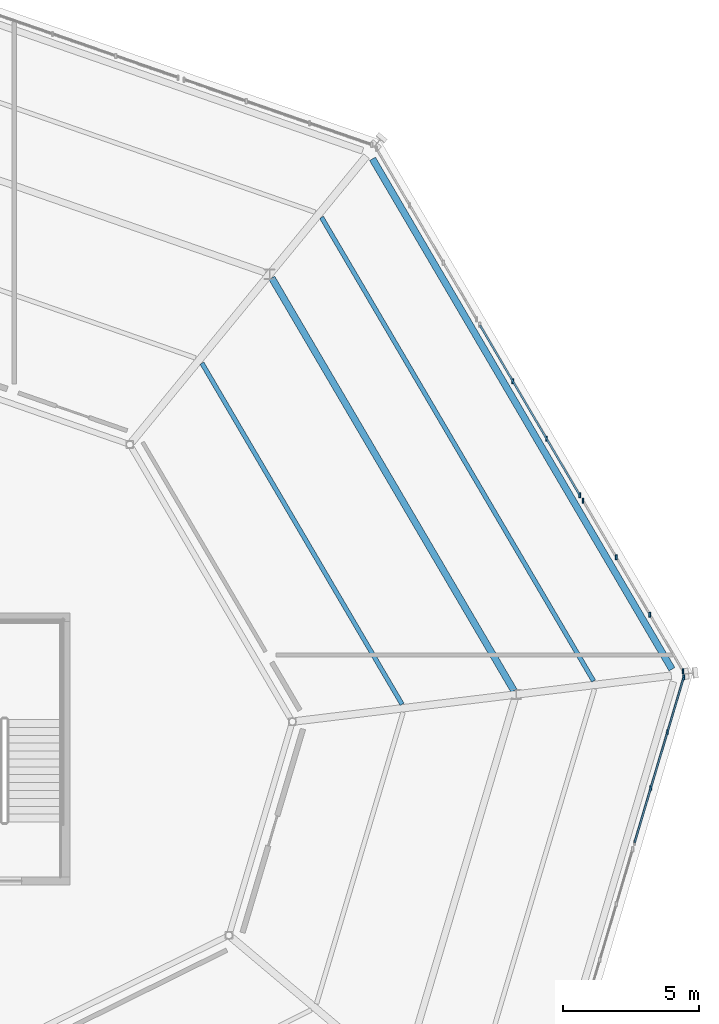
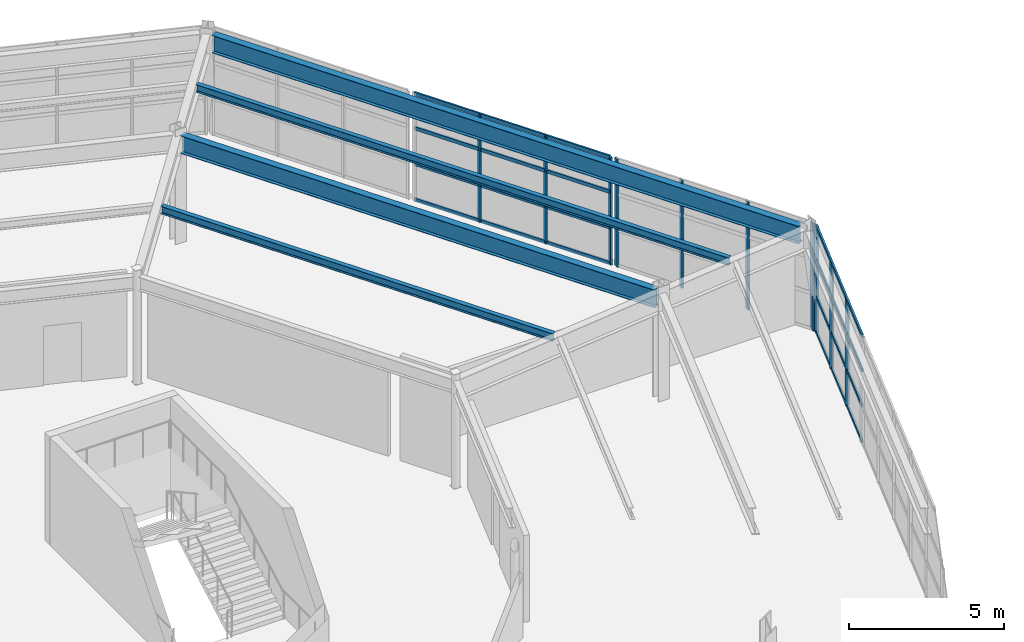
# One storey, part 44 of 77: 18 members, 4 beams, 3 elements without a shape of their own.
"""IFC4 building model written with IfcOpenShell, lengths in metres."""

from ifc_helpers import new_model, si_unit, direction, frame, origin, origin_2d, place, context, subcontext, project, spatial, rectangle, i_section, extrude, material, material_profile, profile_set, type_object, element, aggregate, save


model = new_model("IFC4")

# Units and contexts
model_context = context("Model", 3, precision=1e-05, world=origin(), true_north=direction((0.0, 1.0)))
body_context = subcontext(model_context, "Body", "Model", "MODEL_VIEW")
ifc_project = project(units=[si_unit("LENGTHUNIT", "METRE"), si_unit("AREAUNIT", "SQUARE_METRE"), si_unit("VOLUMEUNIT", "CUBIC_METRE"), si_unit("PLANEANGLEUNIT", "RADIAN"), si_unit("MASSUNIT", "GRAM", prefix="KILO")], contexts=[model_context])

# Site, building, storey
site_placement = place(None, origin())
site = spatial("IfcSite", under=ifc_project, at=site_placement, CompositionType="ELEMENT")
building_placement = place(site_placement, origin())
building = spatial("IfcBuilding", under=site, at=building_placement, Name="Sarnbrook Museum", CompositionType="ELEMENT")
storey_placement = place(building_placement, frame((0.0, 0.0, 5.60009765625)))
storey = spatial("IfcBuildingStorey", under=building, at=storey_placement, Name="L01", CompositionType="ELEMENT", Elevation=5.60009765625)

# Beams
ifc_material_1 = material(Name="Structural Steel Grade 350L0 (AS/NZS 3678, fy = 340 MPa for 20 < t <= 40 mm)", Category="steel")
ifc_material_profile_1 = material_profile(ifc_material_1, i_section(OverallWidth=0.25, OverallDepth=0.699951171875, WebThickness=0.010009765625, FlangeThickness=0.01611328125, at=origin_2d()), Name="700WB130")
ifc_profile_set_1 = profile_set([ifc_material_profile_1], Name="Structural Steel Grade 350L0 (AS/NZS 3678, fy = 340 MPa for 20 < t <= 40 mm)")
beam_type_1 = type_object("IfcBeamType", Name="BM-WB700", PredefinedType="BEAM", material=ifc_profile_set_1)
beam_1_placement = place(storey_placement, frame((168.33251953125, 88.1376953125, 3.889892578125), z_axis=(-0.506063714126, 0.862496096945, 0.0), x_axis=(-0.862496096945, -0.506063714126, 0.0)))
element("IfcBeam", 1, at=beam_1_placement, inside=storey, type_object=beam_type_1, Name="Crystal Hall Perimeter Ring Girder 4 L01", PredefinedType="BEAM", context=body_context, shape_type="SweptSolid", body=[
    extrude(i_section(OverallWidth=0.25, OverallDepth=0.699951171875, WebThickness=0.010009765625, FlangeThickness=0.01611328125, at=origin_2d()), origin(), (0.0, 0.0, 1.0), 21.74951171875),
])
beam_2_placement = place(storey_placement, frame((162.52587890625, 87.348388671875, 3.889892578125), z_axis=(-0.506057154474, 0.862499945743, 0.0), x_axis=(-0.862499945743, -0.506057154474, 0.0)))
element("IfcBeam", 2, at=beam_2_placement, inside=storey, type_object=beam_type_1, Name="Crystal Hall R1 Ring Girder 4 L01", PredefinedType="BEAM", context=body_context, shape_type="SweptSolid", body=[
    extrude(i_section(OverallWidth=0.25, OverallDepth=0.699951171875, WebThickness=0.010009765625, FlangeThickness=0.01611328125, at=origin_2d()), origin(), (0.0, 0.0, 1.0), 17.589111328125),
])

# Curtain wall, members
ifc_material_2 = material(Name="Thermally Broken Anodised Aluminium 6063-T6", Category="aluminium")
curtain_wall_type = type_object("IfcCurtainWallType", Name="CurtainWall_CrystalFacet", PredefinedType="NOTDEFINED", material=ifc_material_2)
curtain_wall_1_placement = place(storey_placement, origin())
curtain_wall_1 = element("IfcCurtainWall", 3, at=curtain_wall_1_placement, inside=storey, type_object=curtain_wall_type, Name="Crystal Hall Facet Curtain Wall L01-F3.3", PredefinedType="NOTDEFINED")
ifc_material_profile_2 = material_profile(ifc_material_2, rectangle(XDim=0.06494140625, YDim=0.179931640625, at=origin_2d()), Name="ALU MULLION 65x180")
ifc_profile_set_2 = profile_set([ifc_material_profile_2], Name="Thermally Broken Anodised Aluminium 6063-T6")
member_type_1 = type_object("IfcMemberType", Name="CW_Mullion_180x75", PredefinedType="MULLION", material=ifc_profile_set_2)
member_1_placement = place(storey_placement, frame((167.55419921875, 83.77392578125, 0.0), z_axis=(0.0, 0.0, 1.0), x_axis=(1.0, 0.0, 0.0)))
member_1 = element("IfcMember", 4, at=member_1_placement, type_object=member_type_1, Name="Crystal Hall Facet Curtain Wall L01-F3.3 Mullion 2", PredefinedType="MULLION", context=body_context, shape_type="SweptSolid", body=[
    extrude(rectangle(XDim=0.06494140625, YDim=0.179931640625, at=origin_2d()), origin(), (0.0, 0.0, 1.0), 4.239990234375),
])
member_2_placement = place(storey_placement, frame((168.164794921875, 85.830322265625, 0.0), z_axis=(0.0, 0.0, 1.0), x_axis=(1.0, 0.0, 0.0)))
member_2 = element("IfcMember", 5, at=member_2_placement, type_object=member_type_1, Name="Crystal Hall Facet Curtain Wall L01-F3.3 Mullion 3", PredefinedType="MULLION", context=body_context, shape_type="SweptSolid", body=[
    extrude(rectangle(XDim=0.06494140625, YDim=0.179931640625, at=origin_2d()), origin(), (0.0, 0.0, 1.0), 4.239990234375),
])
member_3_placement = place(storey_placement, frame((168.763916015625, 87.848388671875, 0.0), z_axis=(0.0, 0.0, 1.0), x_axis=(1.0, 0.0, 0.0)))
member_3 = element("IfcMember", 6, at=member_3_placement, type_object=member_type_1, Name="Crystal Hall Facet Curtain Wall L01-F3.3 Mullion 4", PredefinedType="MULLION", context=body_context, shape_type="SweptSolid", body=[
    extrude(rectangle(XDim=0.06494140625, YDim=0.179931640625, at=origin_2d()), origin(), (0.0, 0.0, 1.0), 4.239990234375),
])

curtain_wall_2_placement = place(storey_placement, origin())
curtain_wall_2 = element("IfcCurtainWall", 7, at=curtain_wall_2_placement, inside=storey, type_object=curtain_wall_type, Name="Crystal Hall Facet Curtain Wall L01-F4.1", PredefinedType="NOTDEFINED")
member_4_placement = place(storey_placement, frame((168.7373046875, 88.06689453125, 0.0), z_axis=(0.0, 0.0, 1.0), x_axis=(1.0, 0.0, 0.0)))
member_4 = element("IfcMember", 8, at=member_4_placement, type_object=member_type_1, Name="Crystal Hall Facet Curtain Wall L01-F4.1 Mullion 1", PredefinedType="MULLION", context=body_context, shape_type="SweptSolid", body=[
    extrude(rectangle(XDim=0.06494140625, YDim=0.179931640625, at=origin_2d()), origin(), (0.0, 0.0, 1.0), 4.239990234375),
])
member_5_placement = place(storey_placement, frame((167.519287109375, 90.142578125, 0.0), z_axis=(0.0, 0.0, 1.0), x_axis=(1.0, 0.0, 0.0)))
member_5 = element("IfcMember", 9, at=member_5_placement, type_object=member_type_1, Name="Crystal Hall Facet Curtain Wall L01-F4.1 Mullion 2", PredefinedType="MULLION", context=body_context, shape_type="SweptSolid", body=[
    extrude(rectangle(XDim=0.06494140625, YDim=0.179931640625, at=origin_2d()), origin(), (0.0, 0.0, 1.0), 4.239990234375),
])
member_6_placement = place(storey_placement, frame((166.281005859375, 92.2529296875, 0.0), z_axis=(0.0, 0.0, 1.0), x_axis=(1.0, 0.0, 0.0)))
member_6 = element("IfcMember", 10, at=member_6_placement, type_object=member_type_1, Name="Crystal Hall Facet Curtain Wall L01-F4.1 Mullion 3", PredefinedType="MULLION", context=body_context, shape_type="SweptSolid", body=[
    extrude(rectangle(XDim=0.06494140625, YDim=0.179931640625, at=origin_2d()), origin(), (0.0, 0.0, 1.0), 4.239990234375),
])
member_7_placement = place(storey_placement, frame((165.063232421875, 94.32861328125, 0.0), z_axis=(0.0, 0.0, 1.0), x_axis=(1.0, 0.0, 0.0)))
member_7 = element("IfcMember", 11, at=member_7_placement, type_object=member_type_1, Name="Crystal Hall Facet Curtain Wall L01-F4.1 Mullion 4", PredefinedType="MULLION", context=body_context, shape_type="SweptSolid", body=[
    extrude(rectangle(XDim=0.06494140625, YDim=0.179931640625, at=origin_2d()), origin(), (0.0, 0.0, 1.0), 4.239990234375),
])
aggregate(curtain_wall_2, [member_4, member_5, member_6, member_7])

curtain_wall_3_placement = place(storey_placement, origin())
curtain_wall_3 = element("IfcCurtainWall", 12, at=curtain_wall_3_placement, inside=storey, type_object=curtain_wall_type, Name="Crystal Hall Facet Curtain Wall L01-F4.2", PredefinedType="NOTDEFINED")
member_8_placement = place(storey_placement, frame((164.941650390625, 94.53564453125, 0.0), z_axis=(0.0, 0.0, 1.0), x_axis=(1.0, 0.0, 0.0)))
member_8 = element("IfcMember", 13, at=member_8_placement, type_object=member_type_1, Name="Crystal Hall Facet Curtain Wall L01-F4.2 Mullion 1", PredefinedType="MULLION", context=body_context, shape_type="SweptSolid", body=[
    extrude(rectangle(XDim=0.06494140625, YDim=0.179931640625, at=origin_2d()), origin(), (0.0, 0.0, 1.0), 4.239990234375),
])
member_9_placement = place(storey_placement, frame((163.7236328125, 96.611572265625, 0.0), z_axis=(0.0, 0.0, 1.0), x_axis=(1.0, 0.0, 0.0)))
member_9 = element("IfcMember", 14, at=member_9_placement, type_object=member_type_1, Name="Crystal Hall Facet Curtain Wall L01-F4.2 Mullion 2", PredefinedType="MULLION", context=body_context, shape_type="SweptSolid", body=[
    extrude(rectangle(XDim=0.06494140625, YDim=0.179931640625, at=origin_2d()), origin(), (0.0, 0.0, 1.0), 4.239990234375),
])
member_10_placement = place(storey_placement, frame((162.485595703125, 98.721923828125, 0.0), z_axis=(0.0, 0.0, 1.0), x_axis=(1.0, 0.0, 0.0)))
member_10 = element("IfcMember", 15, at=member_10_placement, type_object=member_type_1, Name="Crystal Hall Facet Curtain Wall L01-F4.2 Mullion 3", PredefinedType="MULLION", context=body_context, shape_type="SweptSolid", body=[
    extrude(rectangle(XDim=0.06494140625, YDim=0.179931640625, at=origin_2d()), origin(), (0.0, 0.0, 1.0), 4.239990234375),
])

# Member
ifc_material_profile_3 = material_profile(ifc_material_2, rectangle(XDim=0.06494140625, YDim=0.139892578125, at=origin_2d()), Name="ALU TRANSOM 65x140")
ifc_profile_set_3 = profile_set([ifc_material_profile_3], Name="Thermally Broken Anodised Aluminium 6063-T6")
member_type_2 = type_object("IfcMemberType", Name="CW_Transom_150x65", PredefinedType="USERDEFINED", material=ifc_profile_set_3)
member_11_placement = place(storey_placement, frame((166.9580078125, 81.765380859375, 0.039794921875), z_axis=(0.284596074945, 0.958647523403, 0.0), x_axis=(-0.958647523403, 0.284596074945, 0.0)))
member_11 = element("IfcMember", 16, at=member_11_placement, type_object=member_type_2, Name="Crystal Hall Facet Curtain Wall L01-F3.3 Transom 1", ObjectType="TRANSOM", PredefinedType="USERDEFINED", context=body_context, shape_type="SweptSolid", body=[
    extrude(rectangle(XDim=0.06494140625, YDim=0.139892578125, at=origin_2d()), origin(), (0.0, 0.0, 1.0), 6.335205078125),
])

member_12_placement = place(storey_placement, frame((166.9580078125, 81.765380859375, 1.449951171875), z_axis=(0.284596074945, 0.958647523403, 0.0), x_axis=(-0.958647523403, 0.284596074945, 0.0)))
member_12 = element("IfcMember", 17, at=member_12_placement, type_object=member_type_2, Name="Crystal Hall Facet Curtain Wall L01-F3.3 Transom 2", ObjectType="TRANSOM", PredefinedType="USERDEFINED", context=body_context, shape_type="SweptSolid", body=[
    extrude(rectangle(XDim=0.06494140625, YDim=0.139892578125, at=origin_2d()), origin(), (0.0, 0.0, 1.0), 6.335205078125),
])

member_13_placement = place(storey_placement, frame((166.9580078125, 81.765380859375, 2.849853515625), z_axis=(0.284596074945, 0.958647523403, 0.0), x_axis=(-0.958647523403, 0.284596074945, 0.0)))
member_13 = element("IfcMember", 18, at=member_13_placement, type_object=member_type_2, Name="Crystal Hall Facet Curtain Wall L01-F3.3 Transom 3", ObjectType="TRANSOM", PredefinedType="USERDEFINED", context=body_context, shape_type="SweptSolid", body=[
    extrude(rectangle(XDim=0.06494140625, YDim=0.139892578125, at=origin_2d()), origin(), (0.0, 0.0, 1.0), 6.335205078125),
])

member_14_placement = place(storey_placement, frame((166.9580078125, 81.765380859375, 4.199951171875), z_axis=(0.284596074945, 0.958647523403, 0.0), x_axis=(-0.958647523403, 0.284596074945, 0.0)))
member_14 = element("IfcMember", 19, at=member_14_placement, type_object=member_type_2, Name="Crystal Hall Facet Curtain Wall L01-F3.3 Transom 4", ObjectType="TRANSOM", PredefinedType="USERDEFINED", context=body_context, shape_type="SweptSolid", body=[
    extrude(rectangle(XDim=0.06494140625, YDim=0.139892578125, at=origin_2d()), origin(), (0.0, 0.0, 1.0), 6.335205078125),
])

aggregate(curtain_wall_1, [member_1, member_2, member_3, member_11, member_12, member_13, member_14])

member_15_placement = place(storey_placement, frame((164.9365234375, 94.54443359375, 0.039794921875), z_axis=(-0.506045718248, 0.862506655651, 0.0), x_axis=(-0.862506655651, -0.506045718248, 0.0)))
member_15 = element("IfcMember", 20, at=member_15_placement, type_object=member_type_2, Name="Crystal Hall Facet Curtain Wall L01-F4.2 Transom 1", ObjectType="TRANSOM", PredefinedType="USERDEFINED", context=body_context, shape_type="SweptSolid", body=[
    extrude(rectangle(XDim=0.06494140625, YDim=0.139892578125, at=origin_2d()), origin(), (0.0, 0.0, 1.0), 7.239990234375),
])

member_16_placement = place(storey_placement, frame((164.9365234375, 94.54443359375, 1.449951171875), z_axis=(-0.506045718248, 0.862506655651, 0.0), x_axis=(-0.862506655651, -0.506045718248, 0.0)))
member_16 = element("IfcMember", 21, at=member_16_placement, type_object=member_type_2, Name="Crystal Hall Facet Curtain Wall L01-F4.2 Transom 2", ObjectType="TRANSOM", PredefinedType="USERDEFINED", context=body_context, shape_type="SweptSolid", body=[
    extrude(rectangle(XDim=0.06494140625, YDim=0.139892578125, at=origin_2d()), origin(), (0.0, 0.0, 1.0), 7.239990234375),
])

member_17_placement = place(storey_placement, frame((164.9365234375, 94.54443359375, 2.849853515625), z_axis=(-0.506045718248, 0.862506655651, 0.0), x_axis=(-0.862506655651, -0.506045718248, 0.0)))
member_17 = element("IfcMember", 22, at=member_17_placement, type_object=member_type_2, Name="Crystal Hall Facet Curtain Wall L01-F4.2 Transom 3", ObjectType="TRANSOM", PredefinedType="USERDEFINED", context=body_context, shape_type="SweptSolid", body=[
    extrude(rectangle(XDim=0.06494140625, YDim=0.139892578125, at=origin_2d()), origin(), (0.0, 0.0, 1.0), 7.239990234375),
])

member_18_placement = place(storey_placement, frame((164.9365234375, 94.54443359375, 4.199951171875), z_axis=(-0.506045718248, 0.862506655651, 0.0), x_axis=(-0.862506655651, -0.506045718248, 0.0)))
member_18 = element("IfcMember", 23, at=member_18_placement, type_object=member_type_2, Name="Crystal Hall Facet Curtain Wall L01-F4.2 Transom 4", ObjectType="TRANSOM", PredefinedType="USERDEFINED", context=body_context, shape_type="SweptSolid", body=[
    extrude(rectangle(XDim=0.06494140625, YDim=0.139892578125, at=origin_2d()), origin(), (0.0, 0.0, 1.0), 7.239990234375),
])

aggregate(curtain_wall_3, [member_8, member_9, member_10, member_15, member_16, member_17, member_18])

# Beams
ifc_material_3 = material(Name="Structural Steel Grade 300PLUS (AS/NZS 3679.1, fy = 280 MPa for 17 < t <= 40 mm, 300 MPa for t <= 17 mm)", Category="steel")
ifc_material_profile_4 = material_profile(ifc_material_3, i_section(OverallWidth=0.1650390625, OverallDepth=0.303955078125, WebThickness=0.006103515625, FlangeThickness=0.01025390625, FilletRadius=0.011474609375, at=origin_2d()), Name="310UB40.4")
ifc_profile_set_4 = profile_set([ifc_material_profile_4], Name="Structural Steel Grade 300PLUS (AS/NZS 3679.1, fy = 280 MPa for 17 < t <= 40 mm, 300 MPa for t <= 17 mm)")
beam_type_2 = type_object("IfcBeamType", Name="JS-UB310", PredefinedType="JOIST", material=ifc_profile_set_4)
beam_3_placement = place(storey_placement, frame((165.451904296875, 87.7041015625, 4.087890625), z_axis=(-0.506052727128, 0.862502543397, 0.0), x_axis=(-0.862502543397, -0.506052727128, 0.0)))
element("IfcBeam", 24, at=beam_3_placement, inside=storey, type_object=beam_type_2, Name="Crystal Hall Tangential Joist MO-4 L01", PredefinedType="JOIST", context=body_context, shape_type="SweptSolid", body=[
    extrude(i_section(OverallWidth=0.1650390625, OverallDepth=0.303955078125, WebThickness=0.006103515625, FlangeThickness=0.01025390625, FilletRadius=0.011474609375, at=origin_2d()), origin(), (0.0, 0.0, 1.0), 19.75927734375),
])
beam_4_placement = place(storey_placement, frame((158.413330078125, 86.848388671875, 4.087890625), z_axis=(-0.50605775092, 0.862499595788, 0.0), x_axis=(-0.862499595788, -0.50605775092, 0.0)))
element("IfcBeam", 25, at=beam_4_placement, inside=storey, type_object=beam_type_2, Name="Crystal Hall Tangential Joist MI-4 L01", PredefinedType="JOIST", context=body_context, shape_type="SweptSolid", body=[
    extrude(i_section(OverallWidth=0.1650390625, OverallDepth=0.303955078125, WebThickness=0.006103515625, FlangeThickness=0.01025390625, FilletRadius=0.011474609375, at=origin_2d()), origin(), (0.0, 0.0, 1.0), 14.5390625),
])

save(model, "model.ifc")
